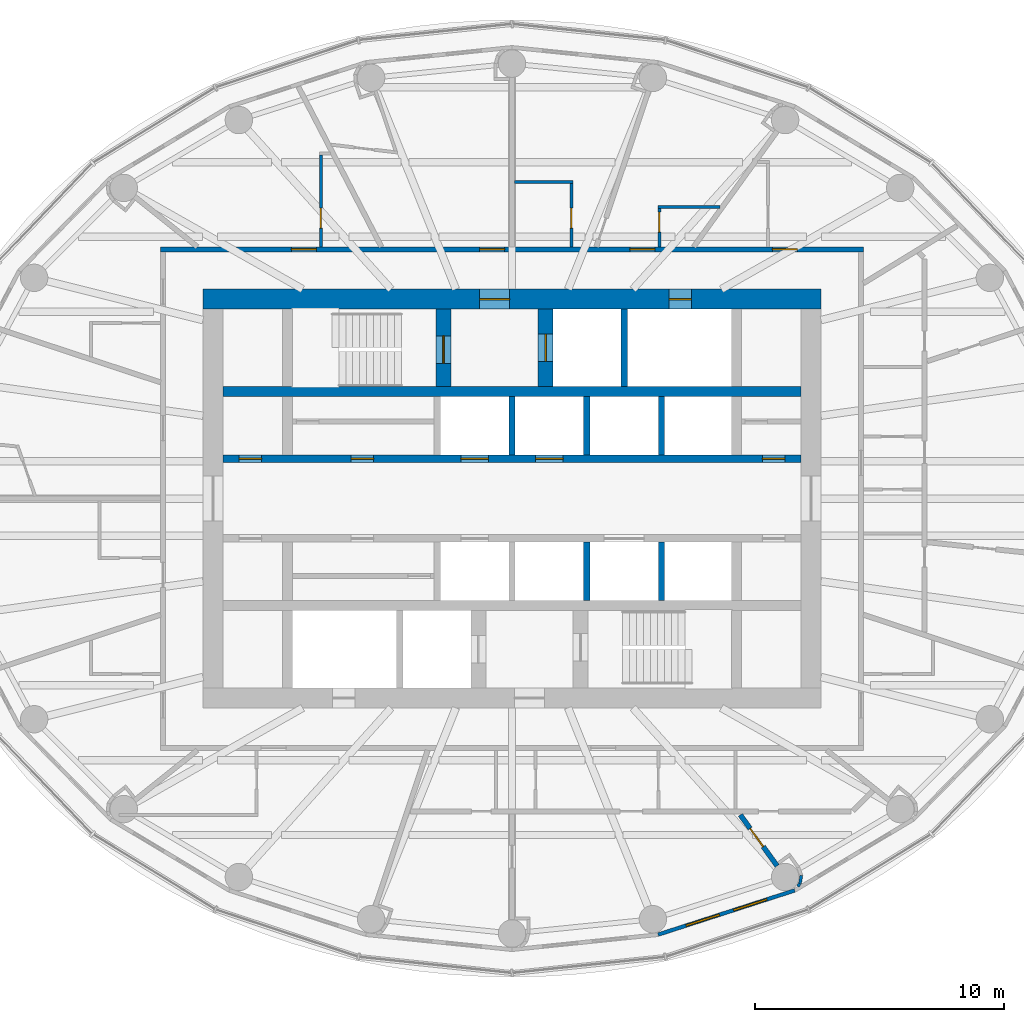
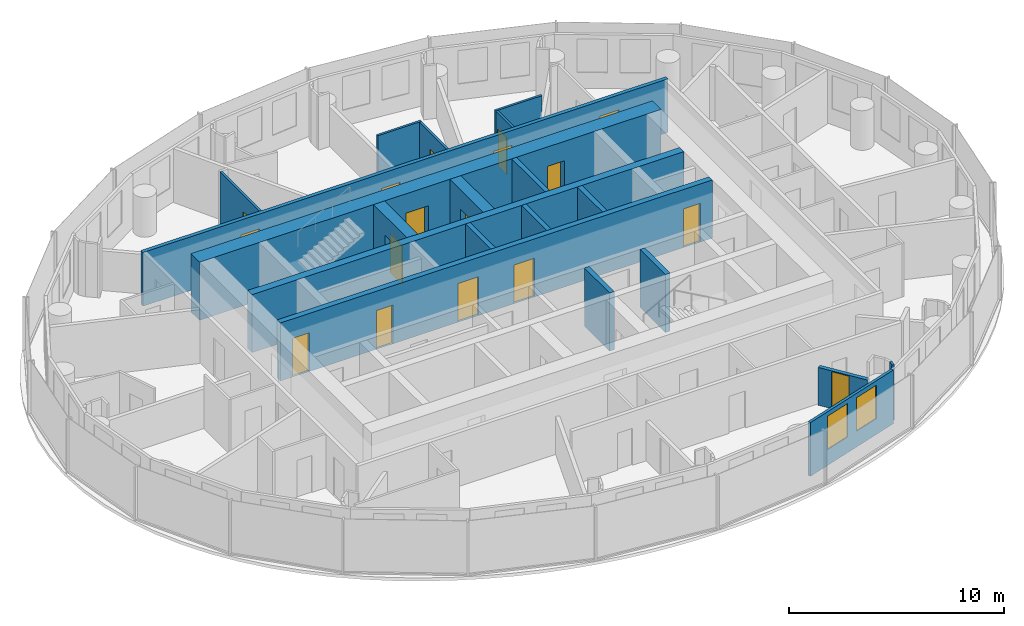
# One storey, part 9 of 14: 21 walls, 17 doors, 2 windows, 19 openings.
"""IFC4 building model written with IfcOpenShell, lengths in metres."""

import ifcopenshell
import ifcopenshell.guid

model = None  # the IFC model being written
_history = None  # IfcOwnerHistory: only IFC2X3 demands one
_inside = {}  # id of a spatial element -> (the spatial element, [elements in it])
_under = {}  # id of a project, library or spatial element -> (it, [spatial elements below it])
_declared = {}  # id of a project -> (the project, [libraries it declares])
_typed = {}  # id of a type object -> (the type object, [elements of that type])
_made_of = {}  # id of a material, layer set ... -> (it, [elements and type objects made of it])


def new_model(schema):
    """Start an empty IFC model of exactly this schema.

    Asked for "IFC4X3", IfcOpenShell would pick the latest addendum, in which some entities
    have other attributes; the version numbers below select the first issue.
    IFC2X3 requires an IfcOwnerHistory on every rooted entity: one is made here for all.
    """
    global model, _history
    if schema == "IFC4X3":
        model = ifcopenshell.file(schema_version=(4, 3, 0, 0))
    else:
        model = ifcopenshell.file(schema=schema)
    _inside.clear()
    _under.clear()
    _declared.clear()
    _typed.clear()
    _made_of.clear()
    _history = None
    if model.schema == "IFC2X3":
        org = make("IfcOrganization", Name="unknown")
        user = make(
            "IfcPersonAndOrganization",
            ThePerson=make("IfcPerson", FamilyName="unknown"),
            TheOrganization=org,
        )
        app = make(
            "IfcApplication",
            ApplicationDeveloper=org,
            Version="unknown",
            ApplicationFullName="unknown",
            ApplicationIdentifier="unknown",
        )
        _history = make(
            "IfcOwnerHistory",
            OwningUser=user,
            OwningApplication=app,
            ChangeAction="ADDED",
            CreationDate=0,
        )
    return model


def make(cls, **values):
    """One entity of the class cls with the attributes given. An attribute that is None is left unset."""
    return model.create_entity(
        cls, **{name: value for name, value in values.items() if value is not None}
    )


def rooted(cls, **values):
    """An entity with a GlobalId (a new one), such as an element, a storey or a relation."""
    return make(cls, GlobalId=ifcopenshell.guid.new(), OwnerHistory=_history, **values)


def si_unit(unit_type, name, prefix=None):
    """IfcSIUnit, for example si_unit("LENGTHUNIT", "METRE", prefix="MILLI")."""
    return make("IfcSIUnit", UnitType=unit_type, Prefix=prefix, Name=name)


def assignment(units):
    """IfcUnitAssignment: the units of a project."""
    return None if units is None else make("IfcUnitAssignment", Units=units)


def point(xyz):
    """IfcCartesianPoint."""
    return None if xyz is None else make("IfcCartesianPoint", Coordinates=xyz)


def direction(xyz):
    """IfcDirection."""
    return None if xyz is None else make("IfcDirection", DirectionRatios=xyz)


def frame(location, z_axis=None, x_axis=None):
    """IfcAxis2Placement3D, a coordinate frame: its origin and axes. An axis left out is left unset."""
    return make(
        "IfcAxis2Placement3D",
        Location=point(location),
        Axis=direction(z_axis),
        RefDirection=direction(x_axis),
    )


def frame_2d(location, x_axis=None):
    """IfcAxis2Placement2D, a coordinate frame in the plane: its origin and x axis."""
    return make(
        "IfcAxis2Placement2D", Location=point(location), RefDirection=direction(x_axis)
    )


def origin():
    """The frame at (0, 0, 0) with its axes left unset."""
    return frame((0.0, 0.0, 0.0))


def place(relative_to, where):
    """IfcLocalPlacement: puts the frame where relative to a parent placement (None: the world)."""
    return make(
        "IfcLocalPlacement", PlacementRelTo=relative_to, RelativePlacement=where
    )


def context(
    kind, dimensions, precision=None, world=None, true_north=None, identifier=None
):
    """IfcGeometricRepresentationContext, for example the 3D "Model" context."""
    return make(
        "IfcGeometricRepresentationContext",
        ContextIdentifier=identifier,
        ContextType=kind,
        CoordinateSpaceDimension=dimensions,
        Precision=precision,
        WorldCoordinateSystem=world,
        TrueNorth=true_north,
    )


def subcontext(parent, identifier, kind, view, scale=None):
    """IfcGeometricRepresentationSubContext, for example "Body" below "Model"."""
    return make(
        "IfcGeometricRepresentationSubContext",
        ContextIdentifier=identifier,
        ContextType=kind,
        ParentContext=parent,
        TargetScale=scale,
        TargetView=view,
    )


def project(units=None, contexts=None):
    """IfcProject with its units and contexts."""
    return rooted(
        "IfcProject",
        Name="project",
        RepresentationContexts=contexts,
        UnitsInContext=assignment(units),
    )


def spatial(cls, under=None, at=None, **own):
    """A site, building, storey or space (cls), placed at a placement, below another one or the project."""
    s = rooted(cls, ObjectPlacement=at, **own)
    if under is not None:
        _under.setdefault(under.id(), (under, []))[1].append(s)
    return s


def profile(cls, at=None, kind="AREA", **sizes):
    """A parametric profile (cls). Its sizes go by their IFC names, for example OverallWidth=200.0."""
    return make(cls, ProfileType=kind, Position=at, **sizes)


def rectangle(**sizes):
    """IfcRectangleProfileDef."""
    return profile("IfcRectangleProfileDef", **sizes)


def extrude(swept, where, along, depth):
    """IfcExtrudedAreaSolid: the profile swept, set in the frame where, extruded along a direction by depth."""
    return make(
        "IfcExtrudedAreaSolid",
        SweptArea=swept,
        Position=where,
        ExtrudedDirection=direction(along),
        Depth=depth,
    )


def shape(context_of_items, identifier, shape_type, items):
    """IfcShapeRepresentation: the items that make up one representation, for example the "Body"."""
    return make(
        "IfcShapeRepresentation",
        ContextOfItems=context_of_items,
        RepresentationIdentifier=identifier,
        RepresentationType=shape_type,
        Items=items,
    )


def material(Name=None, Category=None):
    """IfcMaterial."""
    return make("IfcMaterial", Name=Name, Category=Category)


def layer(
    of_material, thickness, ventilated=None, Name=None, Category=None, Priority=None
):
    """IfcMaterialLayer: one layer of a wall or slab, of a material (None: an air gap)."""
    return make(
        "IfcMaterialLayer",
        Material=of_material,
        LayerThickness=thickness,
        IsVentilated=ventilated,
        Name=Name,
        Category=Category,
        Priority=Priority,
    )


def layer_set(layers, Name=None):
    """IfcMaterialLayerSet."""
    return make("IfcMaterialLayerSet", MaterialLayers=layers, LayerSetName=Name)


def made_of(thing, what):
    """Note that an element or type object is made of a material, layer set ...; save() writes the relation."""
    if what is not None:
        _made_of.setdefault(what.id(), (what, []))[1].append(thing)
    return thing


def type_object(cls, material=None, **own):
    """A type object (cls), such as IfcWallType, which elements share."""
    return made_of(rooted(cls, **own), material)


def element(
    cls,
    number,
    at=None,
    inside=None,
    cuts=None,
    type_object=None,
    material=None,
    context=None,
    identifier="Body",
    shape_type=None,
    held_by="IfcProductDefinitionShape",
    body=None,
    shapes=None,
    **own,
):
    """One element of the class cls, such as IfcWall. Its Tag is "e" and its number.

    at: its placement. inside: the storey or other place that contains it. cuts: it is an
    opening in that element (IfcRelVoidsElement). A single representation is given by context,
    identifier, shape_type and body (its items); several are given by shapes. held_by: the class
    of the entity that holds the representations. save() writes the other relations.
    """
    e = rooted(cls, Tag="e%d" % number, ObjectPlacement=at, **own)
    if body is not None:
        shapes = [shape(context, identifier, shape_type, body)]
    if shapes is not None:
        e.Representation = make(held_by, Representations=shapes)
    if inside is not None:
        _inside.setdefault(inside.id(), (inside, []))[1].append(e)
    if cuts is not None:
        rooted(
            "IfcRelVoidsElement", RelatingBuildingElement=cuts, RelatedOpeningElement=e
        )
    if type_object is not None:
        _typed.setdefault(type_object.id(), (type_object, []))[1].append(e)
    return made_of(e, material)


def fill(opening, filler):
    """IfcRelFillsElement: the door or window that sits in an opening."""
    return rooted(
        "IfcRelFillsElement",
        RelatingOpeningElement=opening,
        RelatedBuildingElement=filler,
    )


def aggregate(whole, parts):
    """IfcRelAggregates: a whole, such as a stair, and the parts it consists of."""
    return rooted("IfcRelAggregates", RelatingObject=whole, RelatedObjects=parts)


def save(model, path):
    """Write the relations noted so far, then the file.

    IfcRelAggregates (storeys below a building ...), IfcRelContainedInSpatialStructure (elements
    in a storey), IfcRelDefinesByType, IfcRelAssociatesMaterial and IfcRelDeclares: one each for
    every whole, place, type object, material and project.
    """
    for whole, parts in _under.values():
        aggregate(whole, parts)
    for where, things in _inside.values():
        rooted(
            "IfcRelContainedInSpatialStructure",
            RelatedElements=things,
            RelatingStructure=where,
        )
    for kind, things in _typed.values():
        rooted("IfcRelDefinesByType", RelatedObjects=things, RelatingType=kind)
    for what, things in _made_of.values():
        rooted("IfcRelAssociatesMaterial", RelatedObjects=things, RelatingMaterial=what)
    for by, libraries in _declared.values():
        rooted("IfcRelDeclares", RelatingContext=by, RelatedDefinitions=libraries)
    model.write(path)


model = new_model("IFC4")

# Units and contexts
model_context = context("Model", 3, precision=1e-05, world=origin(), true_north=direction((0.0, 1.0)))
body_context = subcontext(model_context, "Body", "Model", "MODEL_VIEW")
ifc_project = project(units=[si_unit("LENGTHUNIT", "METRE"), si_unit("AREAUNIT", "SQUARE_METRE"), si_unit("VOLUMEUNIT", "CUBIC_METRE"), si_unit("PLANEANGLEUNIT", "RADIAN"), si_unit("MASSUNIT", "GRAM", prefix="KILO")], contexts=[model_context])

# Site, building, storey
site_placement = place(None, origin())
site = spatial("IfcSite", under=ifc_project, at=site_placement, CompositionType="ELEMENT")
building_placement = place(site_placement, origin())
building = spatial("IfcBuilding", under=site, at=building_placement, Name="Hankou Lantern Tower", CompositionType="ELEMENT")
storey_placement = place(building_placement, frame((0.0, 0.0, 183.0)))
storey = spatial("IfcBuildingStorey", under=building, at=storey_placement, Name="L49", CompositionType="ELEMENT", Elevation=183.0)

# Wall, openings, doors
ifc_material_1 = material(Name="Concrete C60", Category="concrete")
ifc_layer_1 = layer(ifc_material_1, 0.800048828125)
ifc_layer_set_1 = layer_set([ifc_layer_1], Name="Concrete C60")
wall_type_1 = type_object("IfcWallType", Name="CW2 CORE WALL 800", PredefinedType="SHEAR", material=ifc_layer_set_1)
wall_1_placement = place(storey_placement, frame((-12.39990234375, 8.0, 0.0), z_axis=(0.0, 0.0, 1.0), x_axis=(1.0, 0.0, 0.0)))
wall_1 = element("IfcWall", 1, at=wall_1_placement, inside=storey, type_object=wall_type_1, Name="Core wall north L49", PredefinedType="SHEAR", context=body_context, shape_type="SweptSolid", body=[
    extrude(rectangle(XDim=24.7998046875, YDim=0.800048828125, at=frame_2d((12.39990234375, 0.0))), origin(), (0.0, 0.0, 1.0), 3.300048828125),
])
opening_1_placement = place(wall_1_placement, frame((11.10009765625, 0.0, 0.0)))
opening_1 = element("IfcOpeningElement", 2, at=opening_1_placement, cuts=wall_1, Name="Opening D5", PredefinedType="OPENING", context=body_context, shape_type="SweptSolid", body=[
    extrude(rectangle(XDim=1.199951171875, YDim=2.199951171875, at=frame_2d((0.60009765625, 1.10009765625))), frame((0.0, 0.409912109375, 0.0), z_axis=(0.0, -1.0, 0.0), x_axis=(1.0, 0.0, 0.0)), (0.0, 0.0, 1.0), 0.820068359375),
])
opening_2_placement = place(wall_1_placement, frame((18.699951171875, 0.0, 0.0)))
opening_2 = element("IfcOpeningElement", 3, at=opening_2_placement, cuts=wall_1, Name="Opening D7", PredefinedType="OPENING", context=body_context, shape_type="SweptSolid", body=[
    extrude(rectangle(XDim=0.89990234375, YDim=2.199951171875, at=frame_2d((0.449951171875, 1.10009765625))), frame((0.0, 0.409912109375, 0.0), z_axis=(0.0, -1.0, 0.0), x_axis=(1.0, 0.0, 0.0)), (0.0, 0.0, 1.0), 0.820068359375),
])
ifc_material_2 = material(Name="Steel door leaf", Category="steel")
door_type_1 = type_object("IfcDoorType", Name="D5 STAIR LOBBY DOOR 1200X2200", OperationType="SINGLE_SWING_LEFT", PredefinedType="DOOR", material=ifc_material_2)
door_1_placement = place(opening_1_placement, origin())
door_1 = element("IfcDoor", 4, at=door_1_placement, inside=storey, type_object=door_type_1, Name="Stair A lobby door", OperationType="SINGLE_SWING_LEFT", OverallHeight=2.199951171875, OverallWidth=1.199951171875, PredefinedType="DOOR", context=body_context, shape_type="SweptSolid", body=[
    extrude(rectangle(XDim=1.199951171875, YDim=2.199951171875, at=frame_2d((0.60009765625, 1.10009765625))), frame((0.0, 0.02490234375, 0.0), z_axis=(0.0, -1.0, 0.0), x_axis=(1.0, 0.0, 0.0)), (0.0, 0.0, 1.0), 0.050048828125),
])
fill(opening_1, door_1)
ifc_material_3 = material(Name="Steel door leaf", Category="steel")
door_type_2 = type_object("IfcDoorType", Name="D7 RISER DOOR 900X2200", OperationType="SINGLE_SWING_LEFT", PredefinedType="DOOR", material=ifc_material_3)
door_2_placement = place(opening_2_placement, origin())
door_2 = element("IfcDoor", 5, at=door_2_placement, inside=storey, type_object=door_type_2, Name="Riser N1 door", OperationType="SINGLE_SWING_RIGHT", OverallHeight=2.199951171875, OverallWidth=0.89990234375, PredefinedType="DOOR", context=body_context, shape_type="SweptSolid", body=[
    extrude(rectangle(XDim=0.89990234375, YDim=2.199951171875, at=frame_2d((0.449951171875, 1.10009765625))), frame((0.0, 0.02490234375, 0.0), z_axis=(0.0, -1.0, 0.0), x_axis=(1.0, 0.0, 0.0)), (0.0, 0.0, 1.0), 0.050048828125),
])
fill(opening_2, door_2)

# Wall
ifc_material_4 = material(Name="Concrete C60", Category="concrete")
ifc_layer_2 = layer(ifc_material_4, 0.39990234375)
ifc_layer_set_2 = layer_set([ifc_layer_2], Name="Concrete C60")
wall_type_2 = type_object("IfcWallType", Name="CW4 CORE CROSS WALL 400", PredefinedType="SHEAR", material=ifc_layer_set_2)
wall_2_placement = place(storey_placement, frame((-11.60009765625, 4.300048828125, 0.0), z_axis=(0.0, 0.0, 1.0), x_axis=(1.0, 0.0, 0.0)))
element("IfcWall", 6, at=wall_2_placement, inside=storey, type_object=wall_type_2, Name="Core band wall north L49", PredefinedType="SHEAR", context=body_context, shape_type="SweptSolid", body=[
    extrude(rectangle(XDim=23.2001953125, YDim=0.39990234375, at=frame_2d((11.60009765625, 0.0))), origin(), (0.0, 0.0, 1.0), 3.300048828125),
])

# Wall, openings, doors
ifc_material_5 = material(Name="Concrete C60", Category="concrete")
ifc_layer_3 = layer(ifc_material_5, 0.300048828125)
ifc_layer_set_3 = layer_set([ifc_layer_3], Name="Concrete C60")
wall_type_3 = type_object("IfcWallType", Name="CW5 LIFT LOBBY WALL 300", PredefinedType="SHEAR", material=ifc_layer_set_3)
wall_3_placement = place(storey_placement, frame((-11.60009765625, 1.60009765625, 0.0), z_axis=(0.0, 0.0, 1.0), x_axis=(1.0, 0.0, 0.0)))
wall_3 = element("IfcWall", 7, at=wall_3_placement, inside=storey, type_object=wall_type_3, Name="Lift lobby wall north L49", PredefinedType="SHEAR", context=body_context, shape_type="SweptSolid", body=[
    extrude(rectangle(XDim=23.2001953125, YDim=0.300048828125, at=frame_2d((11.60009765625, 0.0))), origin(), (0.0, 0.0, 1.0), 3.300048828125),
])
opening_3_placement = place(wall_3_placement, frame((9.550048828125, 0.0, 0.0)))
opening_3 = element("IfcOpeningElement", 8, at=opening_3_placement, cuts=wall_3, Name="Opening LD1", PredefinedType="OPENING", context=body_context, shape_type="SweptSolid", body=[
    extrude(rectangle(XDim=1.10009765625, YDim=2.199951171875, at=frame_2d((0.550048828125, 1.10009765625))), frame((0.0, 0.159912109375, 0.0), z_axis=(0.0, -1.0, 0.0), x_axis=(1.0, 0.0, 0.0)), (0.0, 0.0, 1.0), 0.320068359375),
])
opening_4_placement = place(wall_3_placement, frame((12.550048828125, 0.0, 0.0)))
opening_4 = element("IfcOpeningElement", 9, at=opening_4_placement, cuts=wall_3, Name="Opening LD1", PredefinedType="OPENING", context=body_context, shape_type="SweptSolid", body=[
    extrude(rectangle(XDim=1.10009765625, YDim=2.199951171875, at=frame_2d((0.550048828125, 1.10009765625))), frame((0.0, 0.159912109375, 0.0), z_axis=(0.0, -1.0, 0.0), x_axis=(1.0, 0.0, 0.0)), (0.0, 0.0, 1.0), 0.320068359375),
])
opening_5_placement = place(wall_3_placement, frame((0.64990234375, 0.0, 0.0)))
opening_5 = element("IfcOpeningElement", 10, at=opening_5_placement, cuts=wall_3, Name="Opening D30", PredefinedType="OPENING", context=body_context, shape_type="SweptSolid", body=[
    extrude(rectangle(XDim=0.89990234375, YDim=2.199951171875, at=frame_2d((0.449951171875, 1.10009765625))), frame((0.0, 0.159912109375, 0.0), z_axis=(0.0, -1.0, 0.0), x_axis=(1.0, 0.0, 0.0)), (0.0, 0.0, 1.0), 0.320068359375),
])
opening_6_placement = place(wall_3_placement, frame((5.14990234375, 0.0, 0.0)))
opening_6 = element("IfcOpeningElement", 11, at=opening_6_placement, cuts=wall_3, Name="Opening D30", PredefinedType="OPENING", context=body_context, shape_type="SweptSolid", body=[
    extrude(rectangle(XDim=0.89990234375, YDim=2.199951171875, at=frame_2d((0.449951171875, 1.10009765625))), frame((0.0, 0.159912109375, 0.0), z_axis=(0.0, -1.0, 0.0), x_axis=(1.0, 0.0, 0.0)), (0.0, 0.0, 1.0), 0.320068359375),
])
opening_7_placement = place(wall_3_placement, frame((21.64990234375, 0.0, 0.0)))
opening_7 = element("IfcOpeningElement", 12, at=opening_7_placement, cuts=wall_3, Name="Opening D30", PredefinedType="OPENING", context=body_context, shape_type="SweptSolid", body=[
    extrude(rectangle(XDim=0.89990234375, YDim=2.199951171875, at=frame_2d((0.449951171875, 1.10009765625))), frame((0.0, 0.159912109375, 0.0), z_axis=(0.0, -1.0, 0.0), x_axis=(1.0, 0.0, 0.0)), (0.0, 0.0, 1.0), 0.320068359375),
])
ifc_material_6 = material(Name="Steel door leaf", Category="steel")
door_type_3 = type_object("IfcDoorType", Name="D30 CORE ROOM DOOR 900X2200", OperationType="SINGLE_SWING_LEFT", PredefinedType="DOOR", material=ifc_material_6)
door_3_placement = place(opening_5_placement, origin())
door_3 = element("IfcDoor", 13, at=door_3_placement, inside=storey, type_object=door_type_3, Name="Engineering store door", OperationType="SINGLE_SWING_LEFT", OverallHeight=2.199951171875, OverallWidth=0.89990234375, PredefinedType="DOOR", context=body_context, shape_type="SweptSolid", body=[
    extrude(rectangle(XDim=0.89990234375, YDim=2.199951171875, at=frame_2d((0.449951171875, 1.10009765625))), frame((0.0, 0.02490234375, 0.0), z_axis=(0.0, -1.0, 0.0), x_axis=(1.0, 0.0, 0.0)), (0.0, 0.0, 1.0), 0.050048828125),
])
fill(opening_5, door_3)
door_4_placement = place(opening_6_placement, origin())
door_4 = element("IfcDoor", 14, at=door_4_placement, inside=storey, type_object=door_type_3, Name="Housekeeping and linen store door", OperationType="SINGLE_SWING_LEFT", OverallHeight=2.199951171875, OverallWidth=0.89990234375, PredefinedType="DOOR", context=body_context, shape_type="SweptSolid", body=[
    extrude(rectangle(XDim=0.89990234375, YDim=2.199951171875, at=frame_2d((0.449951171875, 1.10009765625))), frame((0.0, 0.02490234375, 0.0), z_axis=(0.0, -1.0, 0.0), x_axis=(1.0, 0.0, 0.0)), (0.0, 0.0, 1.0), 0.050048828125),
])
fill(opening_6, door_4)
door_5_placement = place(opening_7_placement, origin())
door_5 = element("IfcDoor", 15, at=door_5_placement, inside=storey, type_object=door_type_3, Name="Room service pantry door", OperationType="SINGLE_SWING_RIGHT", OverallHeight=2.199951171875, OverallWidth=0.89990234375, PredefinedType="DOOR", context=body_context, shape_type="SweptSolid", body=[
    extrude(rectangle(XDim=0.89990234375, YDim=2.199951171875, at=frame_2d((0.449951171875, 1.10009765625))), frame((0.0, 0.02490234375, 0.0), z_axis=(0.0, -1.0, 0.0), x_axis=(1.0, 0.0, 0.0)), (0.0, 0.0, 1.0), 0.050048828125),
])
fill(opening_7, door_5)
ifc_material_7 = material(Name="Steel door leaf", Category="steel")
door_type_4 = type_object("IfcDoorType", Name="LD1 LIFT LANDING DOOR 1100X2200", OperationType="DOUBLE_DOOR_SLIDING", PredefinedType="DOOR", material=ifc_material_7)
door_6_placement = place(opening_3_placement, origin())
door_6 = element("IfcDoor", 16, at=door_6_placement, inside=storey, type_object=door_type_4, Name="Lift H1 landing door", OperationType="DOUBLE_DOOR_SLIDING", OverallHeight=2.199951171875, OverallWidth=1.10009765625, PredefinedType="DOOR", context=body_context, shape_type="SweptSolid", body=[
    extrude(rectangle(XDim=1.10009765625, YDim=2.199951171875, at=frame_2d((0.550048828125, 1.10009765625))), frame((0.0, 0.02490234375, 0.0), z_axis=(0.0, -1.0, 0.0), x_axis=(1.0, 0.0, 0.0)), (0.0, 0.0, 1.0), 0.050048828125),
])
fill(opening_3, door_6)
door_7_placement = place(opening_4_placement, origin())
door_7 = element("IfcDoor", 17, at=door_7_placement, inside=storey, type_object=door_type_4, Name="Lift H2 landing door", OperationType="DOUBLE_DOOR_SLIDING", OverallHeight=2.199951171875, OverallWidth=1.10009765625, PredefinedType="DOOR", context=body_context, shape_type="SweptSolid", body=[
    extrude(rectangle(XDim=1.10009765625, YDim=2.199951171875, at=frame_2d((0.550048828125, 1.10009765625))), frame((0.0, 0.02490234375, 0.0), z_axis=(0.0, -1.0, 0.0), x_axis=(1.0, 0.0, 0.0)), (0.0, 0.0, 1.0), 0.050048828125),
])
fill(opening_4, door_7)

# Wall, opening, door
ifc_material_8 = material(Name="Concrete C60", Category="concrete")
ifc_layer_4 = layer(ifc_material_8, 0.60009765625)
ifc_layer_set_4 = layer_set([ifc_layer_4], Name="Concrete C60")
wall_type_4 = type_object("IfcWallType", Name="CW6 STAIR AND SHAFT WALL 600", PredefinedType="SHEAR", material=ifc_layer_set_4)
wall_4_placement = place(storey_placement, frame((-2.75, 4.5, 0.0), z_axis=(0.0, 0.0, 1.0), x_axis=(0.0, 1.0, 0.0)))
wall_4 = element("IfcWall", 18, at=wall_4_placement, inside=storey, type_object=wall_type_4, Name="Stair wall L49", PredefinedType="SHEAR", context=body_context, shape_type="SweptSolid", body=[
    extrude(rectangle(XDim=3.10009765625, YDim=0.60009765625, at=frame_2d((1.550048828125, 0.0))), origin(), (0.0, 0.0, 1.0), 3.300048828125),
])
opening_8_placement = place(wall_4_placement, frame((0.925048828125, 0.0, 0.0)))
opening_8 = element("IfcOpeningElement", 19, at=opening_8_placement, cuts=wall_4, Name="Opening D4", PredefinedType="OPENING", context=body_context, shape_type="SweptSolid", body=[
    extrude(rectangle(XDim=1.10009765625, YDim=2.199951171875, at=frame_2d((0.550048828125, 1.10009765625))), frame((0.0, 0.31005859375, 0.0), z_axis=(0.0, -1.0, 0.0), x_axis=(1.0, 0.0, 0.0)), (0.0, 0.0, 1.0), 0.6201171875),
])
ifc_material_9 = material(Name="Steel door leaf", Category="steel")
door_type_5 = type_object("IfcDoorType", Name="D4 STAIR DOOR 1100X2200", OperationType="SINGLE_SWING_LEFT", PredefinedType="DOOR", material=ifc_material_9)
door_8_placement = place(opening_8_placement, origin())
door_8 = element("IfcDoor", 20, at=door_8_placement, inside=storey, type_object=door_type_5, Name="Stair A door", OperationType="SINGLE_SWING_LEFT", OverallHeight=2.199951171875, OverallWidth=1.10009765625, PredefinedType="DOOR", context=body_context, shape_type="SweptSolid", body=[
    extrude(rectangle(XDim=1.10009765625, YDim=2.199951171875, at=frame_2d((0.550048828125, 1.10009765625))), frame((0.0, 0.02490234375, 0.0), z_axis=(0.0, -1.0, 0.0), x_axis=(1.0, 0.0, 0.0)), (0.0, 0.0, 1.0), 0.050048828125),
])
fill(opening_8, door_8)

wall_5_placement = place(storey_placement, frame((1.35009765625, 4.5, 0.0), z_axis=(0.0, 0.0, 1.0), x_axis=(0.0, 1.0, 0.0)))
wall_5 = element("IfcWall", 21, at=wall_5_placement, inside=storey, type_object=wall_type_4, Name="Firefighting lift shaft wall L49", PredefinedType="SHEAR", context=body_context, shape_type="SweptSolid", body=[
    extrude(rectangle(XDim=3.10009765625, YDim=0.60009765625, at=frame_2d((1.550048828125, 0.0))), origin(), (0.0, 0.0, 1.0), 3.300048828125),
])
opening_9_placement = place(wall_5_placement, frame((1.0, 0.0, 0.0)))
opening_9 = element("IfcOpeningElement", 22, at=opening_9_placement, cuts=wall_5, Name="Opening LD2", PredefinedType="OPENING", context=body_context, shape_type="SweptSolid", body=[
    extrude(rectangle(XDim=1.10009765625, YDim=2.199951171875, at=frame_2d((0.550048828125, 1.10009765625))), frame((0.0, 0.31005859375, 0.0), z_axis=(0.0, -1.0, 0.0), x_axis=(1.0, 0.0, 0.0)), (0.0, 0.0, 1.0), 0.6201171875),
])
ifc_material_10 = material(Name="Steel door leaf", Category="steel")
door_type_6 = type_object("IfcDoorType", Name="LD2 FIREFIGHTING LIFT LANDING DOOR 1100X2200", OperationType="DOUBLE_DOOR_SLIDING", PredefinedType="DOOR", material=ifc_material_10)
door_9_placement = place(opening_9_placement, origin())
door_9 = element("IfcDoor", 23, at=door_9_placement, inside=storey, type_object=door_type_6, Name="Firefighting lift FL1 landing door", OperationType="DOUBLE_DOOR_SLIDING", OverallHeight=2.199951171875, OverallWidth=1.10009765625, PredefinedType="DOOR", context=body_context, shape_type="SweptSolid", body=[
    extrude(rectangle(XDim=1.10009765625, YDim=2.199951171875, at=frame_2d((0.550048828125, 1.10009765625))), frame((0.0, 0.02490234375, 0.0), z_axis=(0.0, -1.0, 0.0), x_axis=(1.0, 0.0, 0.0)), (0.0, 0.0, 1.0), 0.050048828125),
])
fill(opening_9, door_9)

# Wall, openings, windows
ifc_material_11 = material(Name="Aluminium spandrel panel on steel studs", Category="steel")
ifc_layer_5 = layer(ifc_material_11, 0.14990234375)
ifc_layer_set_5 = layer_set([ifc_layer_5], Name="Aluminium spandrel panel on steel studs")
wall_type_5 = type_object("IfcWallType", Name="EW1 INNER SKIN WALL 150", PredefinedType="ELEMENTEDWALL", material=ifc_layer_set_5)
wall_6_placement = place(storey_placement, frame((5.8603515625, -17.497314453125, 0.0), z_axis=(0.0, 0.0, 1.0), x_axis=(0.951432482129, 0.307857486429, 0.0)))
wall_6 = element("IfcWall", 24, at=wall_6_placement, inside=storey, type_object=wall_type_5, Name="Inner skin R20-R21 L49", PredefinedType="ELEMENTEDWALL", context=body_context, shape_type="SweptSolid", body=[
    extrude(rectangle(XDim=5.76611328125, YDim=0.14990234375, at=frame_2d((2.883056640625, 0.0))), origin(), (0.0, 0.0, 1.0), 3.050048828125),
])
opening_10_placement = place(wall_6_placement, frame((1.18310546875, 0.0, 0.89990234375)))
opening_10 = element("IfcOpeningElement", 25, at=opening_10_placement, cuts=wall_6, Name="Opening W3", PredefinedType="OPENING", context=body_context, shape_type="SweptSolid", body=[
    extrude(rectangle(XDim=1.39990234375, YDim=1.89990234375, at=frame_2d((0.699951171875, 0.949951171875))), frame((0.0, 0.0849609375, 0.0), z_axis=(0.0, -1.0, 0.0), x_axis=(1.0, 0.0, 0.0)), (0.0, 0.0, 1.0), 0.169921875),
])
opening_11_placement = place(wall_6_placement, frame((3.18310546875, 0.0, 0.89990234375)))
opening_11 = element("IfcOpeningElement", 26, at=opening_11_placement, cuts=wall_6, Name="Opening W3", PredefinedType="OPENING", context=body_context, shape_type="SweptSolid", body=[
    extrude(rectangle(XDim=1.39990234375, YDim=1.89990234375, at=frame_2d((0.699951171875, 0.949951171875))), frame((0.0, 0.0849609375, 0.0), z_axis=(0.0, -1.0, 0.0), x_axis=(1.0, 0.0, 0.0)), (0.0, 0.0, 1.0), 0.169921875),
])
ifc_material_12 = material(Name="Aluminium framed double glazed window", Category="aluminium")
window_type = type_object("IfcWindowType", Name="W3 GUEST ROOM WINDOW 1400X1900", PartitioningType="DOUBLE_PANEL_VERTICAL", PredefinedType="WINDOW", material=ifc_material_12)
window_1_placement = place(opening_10_placement, origin())
window_1 = element("IfcWindow", 27, at=window_1_placement, inside=storey, type_object=window_type, Name="Window R20.1 L49", OverallHeight=1.89990234375, OverallWidth=1.39990234375, PartitioningType="SINGLE_PANEL", PredefinedType="WINDOW", context=body_context, shape_type="SweptSolid", body=[
    extrude(rectangle(XDim=1.39990234375, YDim=1.89990234375, at=frame_2d((0.699951171875, 0.949951171875))), frame((0.0, 0.030029296875, 0.0), z_axis=(0.0, -1.0, 0.0), x_axis=(1.0, 0.0, 0.0)), (0.0, 0.0, 1.0), 0.06005859375),
])
fill(opening_10, window_1)
window_2_placement = place(opening_11_placement, origin())
window_2 = element("IfcWindow", 28, at=window_2_placement, inside=storey, type_object=window_type, Name="Window R20.2 L49", OverallHeight=1.89990234375, OverallWidth=1.39990234375, PartitioningType="SINGLE_PANEL", PredefinedType="WINDOW", context=body_context, shape_type="SweptSolid", body=[
    extrude(rectangle(XDim=1.39990234375, YDim=1.89990234375, at=frame_2d((0.699951171875, 0.949951171875))), frame((0.0, 0.030029296875, 0.0), z_axis=(0.0, -1.0, 0.0), x_axis=(1.0, 0.0, 0.0)), (0.0, 0.0, 1.0), 0.06005859375),
])
fill(opening_11, window_2)

# Wall, openings, doors
ifc_material_13 = material(Name="Masonry lightweight concrete block", Category="masonry")
ifc_layer_6 = layer(ifc_material_13, 0.199951171875)
ifc_layer_set_6 = layer_set([ifc_layer_6], Name="Masonry lightweight concrete block")
wall_type_6 = type_object("IfcWallType", Name="IW2 CORRIDOR WALL 200", PredefinedType="PARTITIONING", material=ifc_layer_set_6)
wall_7_placement = place(storey_placement, frame((-14.10009765625, 10.0, 0.0), z_axis=(0.0, 0.0, 1.0), x_axis=(1.0, 0.0, 0.0)))
wall_7 = element("IfcWall", 29, at=wall_7_placement, inside=storey, type_object=wall_type_6, Name="Corridor wall north", PredefinedType="PARTITIONING", context=body_context, shape_type="SweptSolid", body=[
    extrude(rectangle(XDim=28.2001953125, YDim=0.199951171875, at=frame_2d((14.10009765625, 0.0))), origin(), (0.0, 0.0, 1.0), 3.050048828125),
])
opening_12_placement = place(wall_7_placement, frame((24.549072265625, 0.0, 0.0)))
opening_12 = element("IfcOpeningElement", 30, at=opening_12_placement, cuts=wall_7, Name="Opening D1", PredefinedType="OPENING", context=body_context, shape_type="SweptSolid", body=[
    extrude(rectangle(XDim=1.0, YDim=2.199951171875, at=frame_2d((0.5, 1.10009765625))), frame((0.0, 0.10986328125, 0.0), z_axis=(0.0, -1.0, 0.0), x_axis=(1.0, 0.0, 0.0)), (0.0, 0.0, 1.0), 0.219970703125),
])
opening_13_placement = place(wall_7_placement, frame((18.8291015625, 0.0, 0.0)))
opening_13 = element("IfcOpeningElement", 31, at=opening_13_placement, cuts=wall_7, Name="Opening D2", PredefinedType="OPENING", context=body_context, shape_type="SweptSolid", body=[
    extrude(rectangle(XDim=1.0, YDim=2.199951171875, at=frame_2d((0.5, 1.10009765625))), frame((0.0, 0.10986328125, 0.0), z_axis=(0.0, -1.0, 0.0), x_axis=(1.0, 0.0, 0.0)), (0.0, 0.0, 1.0), 0.219970703125),
])
opening_14_placement = place(wall_7_placement, frame((12.800048828125, 0.0, 0.0)))
opening_14 = element("IfcOpeningElement", 32, at=opening_14_placement, cuts=wall_7, Name="Opening D1", PredefinedType="OPENING", context=body_context, shape_type="SweptSolid", body=[
    extrude(rectangle(XDim=1.0, YDim=2.199951171875, at=frame_2d((0.5, 1.10009765625))), frame((0.0, 0.10986328125, 0.0), z_axis=(0.0, -1.0, 0.0), x_axis=(1.0, 0.0, 0.0)), (0.0, 0.0, 1.0), 0.219970703125),
])
opening_15_placement = place(wall_7_placement, frame((5.25, 0.0, 0.0)))
opening_15 = element("IfcOpeningElement", 33, at=opening_15_placement, cuts=wall_7, Name="Opening D1", PredefinedType="OPENING", context=body_context, shape_type="SweptSolid", body=[
    extrude(rectangle(XDim=1.0, YDim=2.199951171875, at=frame_2d((0.5, 1.10009765625))), frame((0.0, 0.10986328125, 0.0), z_axis=(0.0, -1.0, 0.0), x_axis=(1.0, 0.0, 0.0)), (0.0, 0.0, 1.0), 0.219970703125),
])
ifc_material_14 = material(Name="Steel door leaf", Category="steel")
door_type_7 = type_object("IfcDoorType", Name="D1 GUEST ROOM DOOR 1000X2200", OperationType="SINGLE_SWING_LEFT", PredefinedType="DOOR", material=ifc_material_14)
door_10_placement = place(opening_12_placement, origin())
door_10 = element("IfcDoor", 34, at=door_10_placement, inside=storey, type_object=door_type_7, Name="Guest room door 4906", OperationType="SINGLE_SWING_LEFT", OverallHeight=2.199951171875, OverallWidth=1.0, PredefinedType="DOOR", context=body_context, shape_type="SweptSolid", body=[
    extrude(rectangle(XDim=1.0, YDim=2.199951171875, at=frame_2d((0.5, 1.10009765625))), frame((0.0, 0.02490234375, 0.0), z_axis=(0.0, -1.0, 0.0), x_axis=(1.0, 0.0, 0.0)), (0.0, 0.0, 1.0), 0.050048828125),
])
fill(opening_12, door_10)
door_11_placement = place(opening_14_placement, origin())
door_11 = element("IfcDoor", 35, at=door_11_placement, inside=storey, type_object=door_type_7, Name="Guest room door 4908", OperationType="SINGLE_SWING_RIGHT", OverallHeight=2.199951171875, OverallWidth=1.0, PredefinedType="DOOR", context=body_context, shape_type="SweptSolid", body=[
    extrude(rectangle(XDim=1.0, YDim=2.199951171875, at=frame_2d((0.5, 1.10009765625))), frame((0.0, 0.02490234375, 0.0), z_axis=(0.0, -1.0, 0.0), x_axis=(1.0, 0.0, 0.0)), (0.0, 0.0, 1.0), 0.050048828125),
])
fill(opening_14, door_11)
door_12_placement = place(opening_15_placement, origin())
door_12 = element("IfcDoor", 36, at=door_12_placement, inside=storey, type_object=door_type_7, Name="Guest room door 4909", OperationType="SINGLE_SWING_RIGHT", OverallHeight=2.199951171875, OverallWidth=1.0, PredefinedType="DOOR", context=body_context, shape_type="SweptSolid", body=[
    extrude(rectangle(XDim=1.0, YDim=2.199951171875, at=frame_2d((0.5, 1.10009765625))), frame((0.0, 0.02490234375, 0.0), z_axis=(0.0, -1.0, 0.0), x_axis=(1.0, 0.0, 0.0)), (0.0, 0.0, 1.0), 0.050048828125),
])
fill(opening_15, door_12)
ifc_material_15 = material(Name="Steel door leaf", Category="steel")
door_type_8 = type_object("IfcDoorType", Name="D2 SUITE DOOR 1000X2200", OperationType="SINGLE_SWING_LEFT", PredefinedType="DOOR", material=ifc_material_15)
door_13_placement = place(opening_13_placement, origin())
door_13 = element("IfcDoor", 37, at=door_13_placement, inside=storey, type_object=door_type_8, Name="Suite door 4907C", OperationType="SINGLE_SWING_RIGHT", OverallHeight=2.199951171875, OverallWidth=1.0, PredefinedType="DOOR", context=body_context, shape_type="SweptSolid", body=[
    extrude(rectangle(XDim=1.0, YDim=2.199951171875, at=frame_2d((0.5, 1.10009765625))), frame((0.0, 0.02490234375, 0.0), z_axis=(0.0, -1.0, 0.0), x_axis=(1.0, 0.0, 0.0)), (0.0, 0.0, 1.0), 0.050048828125),
])
fill(opening_13, door_13)

# Wall
ifc_material_16 = material(Name="Masonry lightweight concrete block", Category="masonry")
ifc_layer_7 = layer(ifc_material_16, 0.1201171875)
ifc_layer_set_7 = layer_set([ifc_layer_7], Name="Masonry lightweight concrete block")
wall_type_7 = type_object("IfcWallType", Name="IW3 BATHROOM WALL 120", PredefinedType="PARTITIONING", material=ifc_layer_set_7)
wall_8_placement = place(storey_placement, frame((8.34375, 11.699951171875, 0.0), z_axis=(0.0, 0.0, 1.0), x_axis=(-1.0, 0.0, 0.0)))
element("IfcWall", 38, at=wall_8_placement, inside=storey, type_object=wall_type_7, Name="Box wall 4907C 1", PredefinedType="PARTITIONING", context=body_context, shape_type="SweptSolid", body=[
    extrude(rectangle(XDim=2.49462890625, YDim=0.1201171875, at=frame_2d((1.247314453125, 0.0))), origin(), (0.0, 0.0, 1.0), 3.050048828125),
])

# Wall, opening, door
wall_9_placement = place(storey_placement, frame((5.908935546875, 10.10009765625, 0.0), z_axis=(0.0, 0.0, 1.0), x_axis=(0.0, 1.0, 0.0)))
wall_9 = element("IfcWall", 39, at=wall_9_placement, inside=storey, type_object=wall_type_7, Name="Box wall 4907C 1", PredefinedType="PARTITIONING", context=body_context, shape_type="SweptSolid", body=[
    extrude(rectangle(XDim=1.539794921875, YDim=0.1201171875, at=frame_2d((0.77001953125, 0.0))), origin(), (0.0, 0.0, 1.0), 3.050048828125),
])
opening_16_placement = place(wall_9_placement, frame((0.590087890625, 0.0, 0.0)))
opening_16 = element("IfcOpeningElement", 40, at=opening_16_placement, cuts=wall_9, Name="Opening D3", PredefinedType="OPENING", context=body_context, shape_type="SweptSolid", body=[
    extrude(rectangle(XDim=0.800048828125, YDim=2.10009765625, at=frame_2d((0.39990234375, 1.050048828125))), frame((0.0, 0.070068359375, 0.0), z_axis=(0.0, -1.0, 0.0), x_axis=(1.0, 0.0, 0.0)), (0.0, 0.0, 1.0), 0.14013671875),
])
ifc_material_17 = material(Name="Timber door leaf", Category="wood")
door_type_9 = type_object("IfcDoorType", Name="D3 BATHROOM DOOR 800X2100", OperationType="SINGLE_SWING_LEFT", PredefinedType="DOOR", material=ifc_material_17)
door_14_placement = place(opening_16_placement, origin())
door_14 = element("IfcDoor", 41, at=door_14_placement, inside=storey, type_object=door_type_9, Name="Suite 4907 guest WC door", OperationType="SINGLE_SWING_LEFT", OverallHeight=2.10009765625, OverallWidth=0.800048828125, PredefinedType="DOOR", context=body_context, shape_type="SweptSolid", body=[
    extrude(rectangle(XDim=0.800048828125, YDim=2.10009765625, at=frame_2d((0.39990234375, 1.050048828125))), frame((0.0, 0.02490234375, 0.0), z_axis=(0.0, -1.0, 0.0), x_axis=(1.0, 0.0, 0.0)), (0.0, 0.0, 1.0), 0.050048828125),
])
fill(opening_16, door_14)

# Wall
wall_10_placement = place(storey_placement, frame((0.10009765625, 12.699951171875, 0.0), z_axis=(0.0, 0.0, 1.0), x_axis=(1.0, 0.0, 0.0)))
element("IfcWall", 42, at=wall_10_placement, inside=storey, type_object=wall_type_7, Name="Box wall 4907A 1", PredefinedType="PARTITIONING", context=body_context, shape_type="SweptSolid", body=[
    extrude(rectangle(XDim=2.33984375, YDim=0.1201171875, at=frame_2d((1.169921875, 0.0))), origin(), (0.0, 0.0, 1.0), 3.050048828125),
])

# Wall, opening, door
wall_11_placement = place(storey_placement, frame((2.3798828125, 10.10009765625, 0.0), z_axis=(0.0, 0.0, 1.0), x_axis=(0.0, 1.0, 0.0)))
wall_11 = element("IfcWall", 43, at=wall_11_placement, inside=storey, type_object=wall_type_7, Name="Box wall 4907A 1", PredefinedType="PARTITIONING", context=body_context, shape_type="SweptSolid", body=[
    extrude(rectangle(XDim=2.539794921875, YDim=0.1201171875, at=frame_2d((1.27001953125, 0.0))), origin(), (0.0, 0.0, 1.0), 3.050048828125),
])
opening_17_placement = place(wall_11_placement, frame((0.75, 0.0, 0.0)))
opening_17 = element("IfcOpeningElement", 44, at=opening_17_placement, cuts=wall_11, Name="Opening D3", PredefinedType="OPENING", context=body_context, shape_type="SweptSolid", body=[
    extrude(rectangle(XDim=0.800048828125, YDim=2.10009765625, at=frame_2d((0.39990234375, 1.050048828125))), frame((0.0, 0.070068359375, 0.0), z_axis=(0.0, -1.0, 0.0), x_axis=(1.0, 0.0, 0.0)), (0.0, 0.0, 1.0), 0.14013671875),
])
door_15_placement = place(opening_17_placement, origin())
door_15 = element("IfcDoor", 45, at=door_15_placement, inside=storey, type_object=door_type_9, Name="Suite 4907 bathroom door", OperationType="SINGLE_SWING_LEFT", OverallHeight=2.10009765625, OverallWidth=0.800048828125, PredefinedType="DOOR", context=body_context, shape_type="SweptSolid", body=[
    extrude(rectangle(XDim=0.800048828125, YDim=2.10009765625, at=frame_2d((0.39990234375, 1.050048828125))), frame((0.0, 0.02490234375, 0.0), z_axis=(0.0, -1.0, 0.0), x_axis=(1.0, 0.0, 0.0)), (0.0, 0.0, 1.0), 0.050048828125),
])
fill(opening_17, door_15)

wall_12_placement = place(storey_placement, frame((-7.670166015625, 10.10009765625, 0.0), z_axis=(0.0, 0.0, 1.0), x_axis=(0.0, 1.0, 0.0)))
wall_12 = element("IfcWall", 46, at=wall_12_placement, inside=storey, type_object=wall_type_7, Name="Box wall 4909 1", PredefinedType="PARTITIONING", context=body_context, shape_type="SweptSolid", body=[
    extrude(rectangle(XDim=3.68994140625, YDim=0.1201171875, at=frame_2d((1.844970703125, 0.0))), origin(), (0.0, 0.0, 1.0), 3.050048828125),
])
opening_18_placement = place(wall_12_placement, frame((0.75, 0.0, 0.0)))
opening_18 = element("IfcOpeningElement", 47, at=opening_18_placement, cuts=wall_12, Name="Opening D3", PredefinedType="OPENING", context=body_context, shape_type="SweptSolid", body=[
    extrude(rectangle(XDim=0.800048828125, YDim=2.10009765625, at=frame_2d((0.39990234375, 1.050048828125))), frame((0.0, 0.070068359375, 0.0), z_axis=(0.0, -1.0, 0.0), x_axis=(1.0, 0.0, 0.0)), (0.0, 0.0, 1.0), 0.14013671875),
])
door_16_placement = place(opening_18_placement, origin())
door_16 = element("IfcDoor", 48, at=door_16_placement, inside=storey, type_object=door_type_9, Name="En-suite bathroom 4909 door", OperationType="SINGLE_SWING_LEFT", OverallHeight=2.10009765625, OverallWidth=0.800048828125, PredefinedType="DOOR", context=body_context, shape_type="SweptSolid", body=[
    extrude(rectangle(XDim=0.800048828125, YDim=2.10009765625, at=frame_2d((0.39990234375, 1.050048828125))), frame((0.0, 0.02490234375, 0.0), z_axis=(0.0, -1.0, 0.0), x_axis=(1.0, 0.0, 0.0)), (0.0, 0.0, 1.0), 0.050048828125),
])
fill(opening_18, door_16)

# Walls
ifc_material_18 = material(Name="Masonry lightweight concrete block", Category="masonry")
ifc_layer_8 = layer(ifc_material_18, 0.1201171875)
ifc_layer_set_8 = layer_set([ifc_layer_8], Name="Masonry lightweight concrete block")
wall_type_8 = type_object("IfcWallType", Name="IW4 PARTITION 120", PredefinedType="PARTITIONING", material=ifc_layer_set_8)
wall_13_placement = place(storey_placement, frame((11.608642578125, -15.1201171875, 0.0), z_axis=(0.0, 0.0, 1.0), x_axis=(-0.159823572519, -0.987145594969, 0.0)))
element("IfcWall", 49, at=wall_13_placement, inside=storey, type_object=wall_type_8, Name="Column casing R21", PredefinedType="PARTITIONING", context=body_context, shape_type="SweptSolid", body=[
    extrude(rectangle(XDim=0.337646484375, YDim=0.1201171875, at=frame_2d((0.1689453125, 0.0))), origin(), (0.0, 0.0, 1.0), 3.050048828125),
])
wall_14_placement = place(storey_placement, frame((11.5546875, -15.453369140625, 0.0), z_axis=(0.0, 0.0, 1.0), x_axis=(-0.631711901025, -0.775203246964, 0.0)))
element("IfcWall", 50, at=wall_14_placement, inside=storey, type_object=wall_type_8, Name="Column casing R21", PredefinedType="PARTITIONING", context=body_context, shape_type="SweptSolid", body=[
    extrude(rectangle(XDim=0.139404296875, YDim=0.1201171875, at=frame_2d((0.06982421875, 0.0))), origin(), (0.0, 0.0, 1.0), 3.050048828125),
])

# Wall, opening, door
ifc_material_19 = material(Name="Masonry lightweight concrete block", Category="masonry")
ifc_layer_9 = layer(ifc_material_19, 0.199951171875)
ifc_layer_set_9 = layer_set([ifc_layer_9], Name="Masonry lightweight concrete block")
wall_type_9 = type_object("IfcWallType", Name="IW6 SUITE PARTITION 200", PredefinedType="PARTITIONING", material=ifc_layer_set_9)
wall_15_placement = place(storey_placement, frame((9.16162109375, -12.694580078125, 0.0), z_axis=(0.0, 0.0, 1.0), x_axis=(0.585204311739, -0.810885881935, 0.0)))
wall_15 = element("IfcWall", 51, at=wall_15_placement, inside=storey, type_object=wall_type_9, Name="Suite partition R21", PredefinedType="PARTITIONING", context=body_context, shape_type="SweptSolid", body=[
    extrude(rectangle(XDim=2.522705078125, YDim=0.199951171875, at=frame_2d((1.26123046875, 0.0))), origin(), (0.0, 0.0, 1.0), 2.14990234375),
])
opening_19_placement = place(wall_15_placement, frame((0.669921875, 0.0, 0.0)))
opening_19 = element("IfcOpeningElement", 52, at=opening_19_placement, cuts=wall_15, Name="Opening D27", PredefinedType="OPENING", context=body_context, shape_type="SweptSolid", body=[
    extrude(rectangle(XDim=0.89990234375, YDim=2.10009765625, at=frame_2d((0.449951171875, 1.050048828125))), frame((0.0, 0.10986328125, 0.0), z_axis=(0.0, -1.0, 0.0), x_axis=(1.0, 0.0, 0.0)), (0.0, 0.0, 1.0), 0.219970703125),
])
ifc_material_20 = material(Name="Timber door leaf", Category="wood")
door_type_10 = type_object("IfcDoorType", Name="D27 INTERNAL DOOR 900X2100", OperationType="SINGLE_SWING_LEFT", PredefinedType="DOOR", material=ifc_material_20)
door_17_placement = place(opening_19_placement, origin())
door_17 = element("IfcDoor", 53, at=door_17_placement, inside=storey, type_object=door_type_10, Name="Family suite 4903 second bedroom door", OperationType="SINGLE_SWING_LEFT", OverallHeight=2.10009765625, OverallWidth=0.89990234375, PredefinedType="DOOR", context=body_context, shape_type="SweptSolid", body=[
    extrude(rectangle(XDim=0.89990234375, YDim=2.10009765625, at=frame_2d((0.449951171875, 1.050048828125))), frame((0.0, 0.02490234375, 0.0), z_axis=(0.0, -1.0, 0.0), x_axis=(1.0, 0.0, 0.0)), (0.0, 0.0, 1.0), 0.050048828125),
])
fill(opening_19, door_17)

# Walls
ifc_material_21 = material(Name="Masonry autoclaved aerated concrete block", Category="masonry")
ifc_layer_10 = layer(ifc_material_21, 0.25)
ifc_layer_set_10 = layer_set([ifc_layer_10], Name="Masonry autoclaved aerated concrete block")
wall_type_10 = type_object("IfcWallType", Name="SW1 SHAFT BLOCK WALL 250", PredefinedType="PARTITIONING", material=ifc_layer_set_10)
wall_16_placement = place(storey_placement, frame((4.5, 4.5, 0.0), z_axis=(0.0, 0.0, 1.0), x_axis=(0.0, 1.0, 0.0)))
element("IfcWall", 54, at=wall_16_placement, inside=storey, type_object=wall_type_10, Name="Riser wall L49", PredefinedType="PARTITIONING", context=body_context, shape_type="SweptSolid", body=[
    extrude(rectangle(XDim=3.10009765625, YDim=0.25, at=frame_2d((1.550048828125, 0.0))), origin(), (0.0, 0.0, 1.0), 3.300048828125),
])
for number, where, z_axis, x_axis, name in (
    (55, (0.0, 1.75, 0.0), (0.0, 0.0, 1.0), (0.0, 1.0, 0.0), "Lift shaft wall L49"),
    (56, (3.0, 1.75, 0.0), (0.0, 0.0, 1.0), (0.0, 1.0, 0.0), "Lift shaft wall L49"),
    (57, (6.0, 1.75, 0.0), (0.0, 0.0, 1.0), (0.0, 1.0, 0.0), "Lift shaft wall L49"),
    (58, (3.0, -4.10009765625, 0.0), (0.0, 0.0, 1.0), (0.0, 1.0, 0.0), "Lift shaft wall L49"),
    (59, (6.0, -4.10009765625, 0.0), (0.0, 0.0, 1.0), (0.0, 1.0, 0.0), "Lift shaft wall L49"),
):
    element("IfcWall", number, at=place(storey_placement, frame(where, z_axis=z_axis, x_axis=x_axis)), inside=storey, type_object=wall_type_10, Name=name, PredefinedType="PARTITIONING", context=body_context, shape_type="SweptSolid", body=[
        extrude(rectangle(XDim=2.35009765625, YDim=0.25, at=frame_2d((1.175048828125, 0.0))), origin(), (0.0, 0.0, 1.0), 3.300048828125),
    ])

save(model, "model.ifc")
